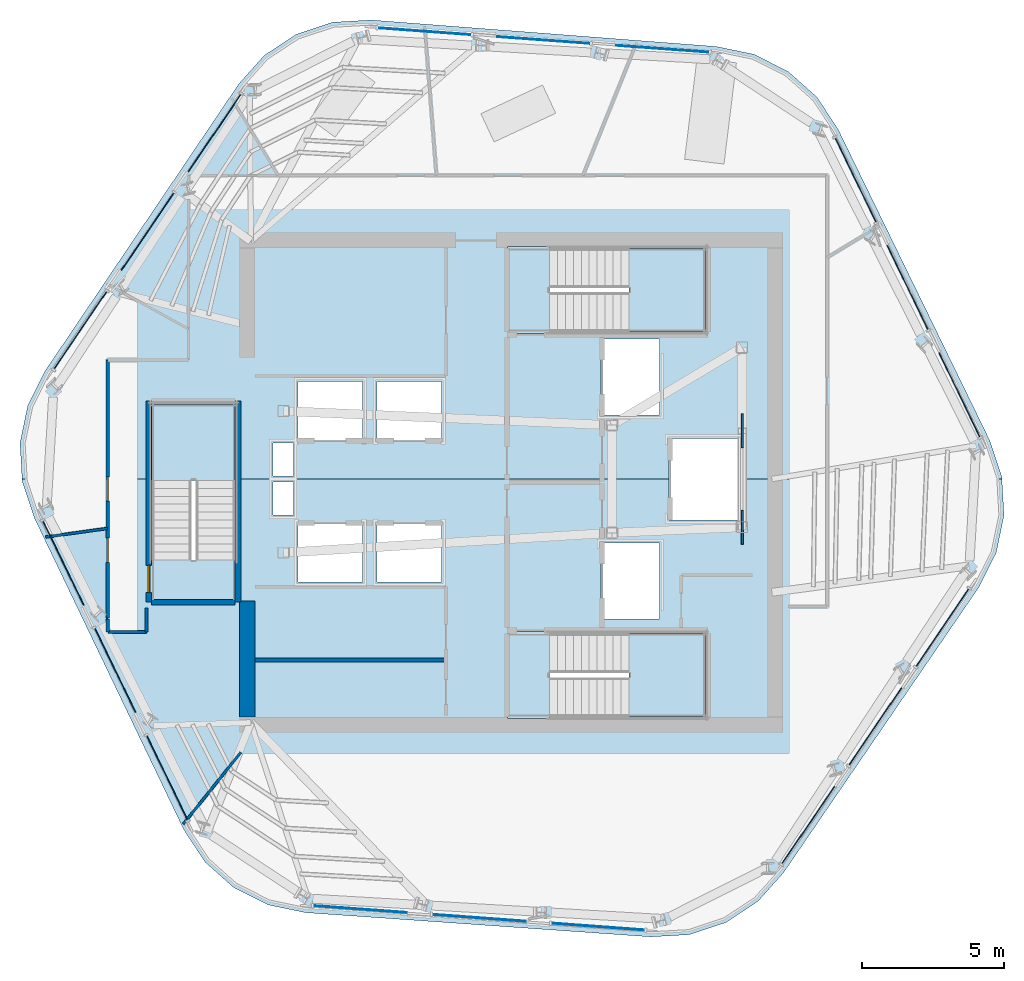
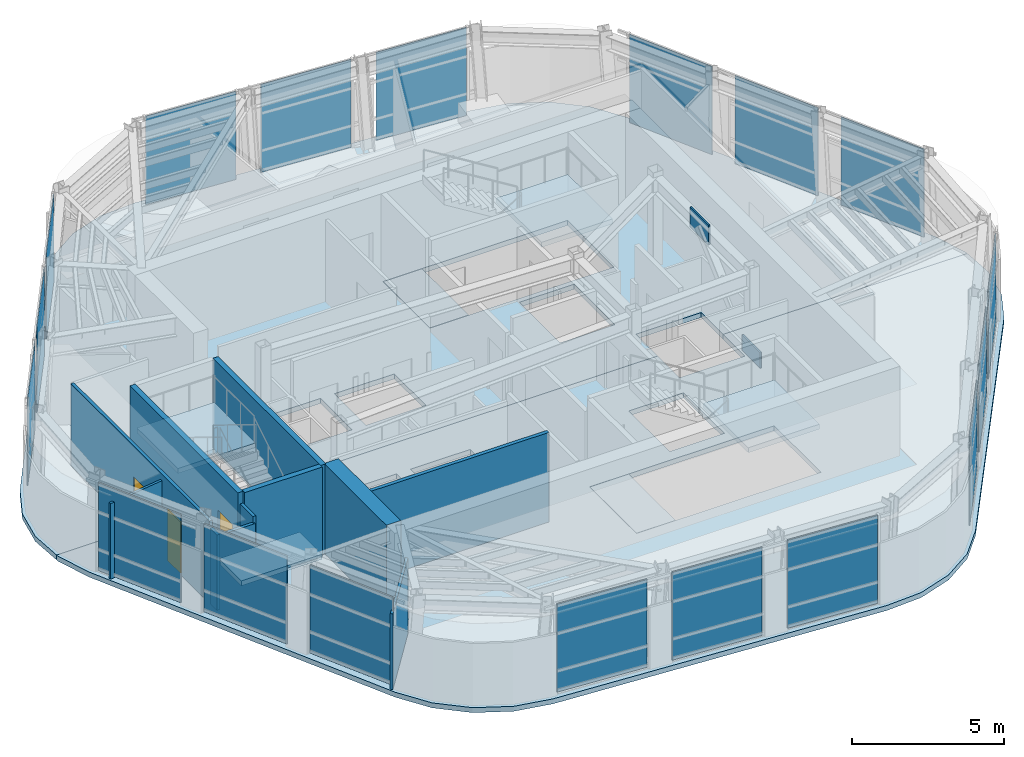
# One storey, part 5 of 11: 20 plates, 11 walls, 8 slabs, 3 doors, 3 openings, 9 elements without a shape of their own.
"""IFC4 building model written with IfcOpenShell, lengths in metres."""

from ifc_helpers import new_model, si_unit, direction, frame, frame_2d, origin, origin_2d, place, context, subcontext, project, spatial, polyline, rectangle, outline, extrude, material, layer, layer_set, type_object, element, fill, aggregate, save


model = new_model("IFC4")

# Units and contexts
model_context = context("Model", 3, precision=1e-05, world=origin(), true_north=direction((0.0, 1.0)))
body_context = subcontext(model_context, "Body", "Model", "MODEL_VIEW")
ifc_project = project(units=[si_unit("LENGTHUNIT", "METRE"), si_unit("AREAUNIT", "SQUARE_METRE"), si_unit("VOLUMEUNIT", "CUBIC_METRE"), si_unit("PLANEANGLEUNIT", "RADIAN"), si_unit("MASSUNIT", "GRAM", prefix="KILO")], contexts=[model_context])

# Site, building, storey
site_placement = place(None, origin())
site = spatial("IfcSite", under=ifc_project, at=site_placement, CompositionType="ELEMENT")
building_placement = place(site_placement, origin())
building = spatial("IfcBuilding", under=site, at=building_placement, Name="Valkerne Bourse Tower", CompositionType="ELEMENT")
storey_placement = place(building_placement, frame((0.0, 0.0, 266.0)))
storey = spatial("IfcBuildingStorey", under=building, at=storey_placement, Name="L67", CompositionType="ELEMENT", Elevation=266.0)

# Curtain wall, plates
ifc_material_1 = material(Name="Aluminium AA 6063-T6", Category="aluminium")
ifc_layer_1 = layer(ifc_material_1, 0.2451171875)
ifc_layer_set_1 = layer_set([ifc_layer_1], Name="Aluminium AA 6063-T6")
curtain_wall_type = type_object("IfcCurtainWallType", Name="CW-05", PredefinedType="NOTDEFINED", material=ifc_layer_set_1)
curtain_wall_1_placement = place(storey_placement, origin())
curtain_wall_1 = element("IfcCurtainWall", 1, at=curtain_wall_1_placement, inside=storey, type_object=curtain_wall_type, Name="L67 Hexagonal Stick Curtain Wall Face 1", PredefinedType="NOTDEFINED")
ifc_material_2 = material(Name="Glass IGU Low-E Double Glazed", Category="glass")
ifc_layer_2 = layer(ifc_material_2, 0.031982421875)
ifc_layer_set_2 = layer_set([ifc_layer_2], Name="Glass IGU Low-E Double Glazed")
plate_type_1 = type_object("IfcPlateType", Name="CW-PNL-IGU-32", PredefinedType="CURTAIN_PANEL", material=ifc_layer_set_2)
plate_1_placement = place(storey_placement, frame((52.138916015625, 42.1884765625, 0.030029296875), z_axis=(0.0, 0.0, 1.0), x_axis=(-0.997314132558, 0.073242890438, 0.0)))
plate_1 = element("IfcPlate", 2, at=plate_1_placement, type_object=plate_type_1, Name="CW-L67-F1 Curtain Panel 00", PredefinedType="CURTAIN_PANEL", context=body_context, shape_type="SweptSolid", body=[
    extrude(rectangle(XDim=3.2919921875, YDim=0.031982421875, at=origin_2d()), origin(), (0.0, 0.0, 1.0), 3.5400390625),
])
plate_2_placement = place(storey_placement, frame((47.93798828125, 42.4970703125, 0.030029296875), z_axis=(0.0, 0.0, 1.0), x_axis=(-0.997314132558, 0.073242890438, 0.0)))
plate_2 = element("IfcPlate", 3, at=plate_2_placement, type_object=plate_type_1, Name="CW-L67-F1 Curtain Panel 01", PredefinedType="CURTAIN_PANEL", context=body_context, shape_type="SweptSolid", body=[
    extrude(rectangle(XDim=3.2919921875, YDim=0.031982421875, at=origin_2d()), origin(), (0.0, 0.0, 1.0), 3.5400390625),
])
plate_3_placement = place(storey_placement, frame((43.7373046875, 42.805419921875, 0.030029296875), z_axis=(0.0, 0.0, 1.0), x_axis=(-0.997315866516, 0.073219276126, 0.0)))
plate_3 = element("IfcPlate", 4, at=plate_3_placement, type_object=plate_type_1, Name="CW-L67-F1 Curtain Panel 02", PredefinedType="CURTAIN_PANEL", context=body_context, shape_type="SweptSolid", body=[
    extrude(rectangle(XDim=3.2919921875, YDim=0.031982421875, at=origin_2d()), origin(), (0.0, 0.0, 1.0), 3.5400390625),
])
aggregate(curtain_wall_1, [plate_1, plate_2, plate_3])

curtain_wall_2_placement = place(storey_placement, origin())
curtain_wall_2 = element("IfcCurtainWall", 5, at=curtain_wall_2_placement, inside=storey, type_object=curtain_wall_type, Name="L67 Hexagonal Stick Curtain Wall Face 2", PredefinedType="NOTDEFINED")
plate_4_placement = place(storey_placement, frame((36.315673828125, 39.2177734375, 0.030029296875), z_axis=(0.0, 0.0, 1.0), x_axis=(-0.562080117496, -0.827082790001, 0.0)))
plate_4 = element("IfcPlate", 6, at=plate_4_placement, type_object=plate_type_1, Name="CW-L67-F2 Curtain Panel 00", PredefinedType="CURTAIN_PANEL", context=body_context, shape_type="SweptSolid", body=[
    extrude(rectangle(XDim=3.2919921875, YDim=0.031982421875, at=origin_2d()), origin(), (0.0, 0.0, 1.0), 3.5400390625),
])
plate_5_placement = place(storey_placement, frame((33.9482421875, 35.73388671875, 0.030029296875), z_axis=(0.0, 0.0, 1.0), x_axis=(-0.562080117496, -0.827082790001, 0.0)))
plate_5 = element("IfcPlate", 7, at=plate_5_placement, type_object=plate_type_1, Name="CW-L67-F2 Curtain Panel 01", PredefinedType="CURTAIN_PANEL", context=body_context, shape_type="SweptSolid", body=[
    extrude(rectangle(XDim=3.2919921875, YDim=0.031982421875, at=origin_2d()), origin(), (0.0, 0.0, 1.0), 3.5400390625),
])
plate_6_placement = place(storey_placement, frame((31.580810546875, 32.25048828125, 0.030029296875), z_axis=(0.0, 0.0, 1.0), x_axis=(-0.562091154776, -0.827075289029, 0.0)))
plate_6 = element("IfcPlate", 8, at=plate_6_placement, type_object=plate_type_1, Name="CW-L67-F2 Curtain Panel 02", PredefinedType="CURTAIN_PANEL", context=body_context, shape_type="SweptSolid", body=[
    extrude(rectangle(XDim=3.2919921875, YDim=0.031982421875, at=origin_2d()), origin(), (0.0, 0.0, 1.0), 3.5400390625),
])
aggregate(curtain_wall_2, [plate_4, plate_5, plate_6])

curtain_wall_3_placement = place(storey_placement, origin())
curtain_wall_3 = element("IfcCurtainWall", 9, at=curtain_wall_3_placement, inside=storey, type_object=curtain_wall_type, Name="L67 Hexagonal Stick Curtain Wall Face 3", PredefinedType="NOTDEFINED")
plate_7_placement = place(storey_placement, frame((30.97705078125, 24.029296875, 0.030029296875), z_axis=(0.0, 0.0, 1.0), x_axis=(0.435236340533, -0.900316237707, 0.0)))
plate_7 = element("IfcPlate", 10, at=plate_7_placement, type_object=plate_type_1, Name="CW-L67-F3 Curtain Panel 00", PredefinedType="CURTAIN_PANEL", context=body_context, shape_type="SweptSolid", body=[
    extrude(rectangle(XDim=3.2919921875, YDim=0.031982421875, at=origin_2d()), origin(), (0.0, 0.0, 1.0), 3.5400390625),
])
plate_8_placement = place(storey_placement, frame((32.810302734375, 20.237060546875, 0.030029296875), z_axis=(0.0, 0.0, 1.0), x_axis=(0.435236340533, -0.900316237707, 0.0)))
plate_8 = element("IfcPlate", 11, at=plate_8_placement, type_object=plate_type_1, Name="CW-L67-F3 Curtain Panel 01", PredefinedType="CURTAIN_PANEL", context=body_context, shape_type="SweptSolid", body=[
    extrude(rectangle(XDim=3.2919921875, YDim=0.031982421875, at=origin_2d()), origin(), (0.0, 0.0, 1.0), 3.5400390625),
])
plate_9_placement = place(storey_placement, frame((34.643310546875, 16.44482421875, 0.030029296875), z_axis=(0.0, 0.0, 1.0), x_axis=(0.435227037453, -0.900320735, 0.0)))
plate_9 = element("IfcPlate", 12, at=plate_9_placement, type_object=plate_type_1, Name="CW-L67-F3 Curtain Panel 02", PredefinedType="CURTAIN_PANEL", context=body_context, shape_type="SweptSolid", body=[
    extrude(rectangle(XDim=3.2919921875, YDim=0.031982421875, at=origin_2d()), origin(), (0.0, 0.0, 1.0), 3.5400390625),
])
aggregate(curtain_wall_3, [plate_7, plate_8, plate_9])

curtain_wall_4_placement = place(storey_placement, origin())
curtain_wall_4 = element("IfcCurtainWall", 13, at=curtain_wall_4_placement, inside=storey, type_object=curtain_wall_type, Name="L67 Hexagonal Stick Curtain Wall Face 4", PredefinedType="NOTDEFINED")
plate_10_placement = place(storey_placement, frame((41.461181640625, 11.8115234375, 0.030029296875), z_axis=(0.0, 0.0, 1.0), x_axis=(0.997314132558, -0.073242890438, 0.0)))
plate_10 = element("IfcPlate", 14, at=plate_10_placement, type_object=plate_type_1, Name="CW-L67-F4 Curtain Panel 00", PredefinedType="CURTAIN_PANEL", context=body_context, shape_type="SweptSolid", body=[
    extrude(rectangle(XDim=3.2919921875, YDim=0.031982421875, at=origin_2d()), origin(), (0.0, 0.0, 1.0), 3.5400390625),
])
plate_11_placement = place(storey_placement, frame((45.662109375, 11.5029296875, 0.030029296875), z_axis=(0.0, 0.0, 1.0), x_axis=(0.997314132558, -0.073242890438, 0.0)))
plate_11 = element("IfcPlate", 15, at=plate_11_placement, type_object=plate_type_1, Name="CW-L67-F4 Curtain Panel 01", PredefinedType="CURTAIN_PANEL", context=body_context, shape_type="SweptSolid", body=[
    extrude(rectangle(XDim=3.2919921875, YDim=0.031982421875, at=origin_2d()), origin(), (0.0, 0.0, 1.0), 3.5400390625),
])
plate_12_placement = place(storey_placement, frame((49.86279296875, 11.194580078125, 0.030029296875), z_axis=(0.0, 0.0, 1.0), x_axis=(0.997315866516, -0.073219276126, 0.0)))
plate_12 = element("IfcPlate", 16, at=plate_12_placement, type_object=plate_type_1, Name="CW-L67-F4 Curtain Panel 02", PredefinedType="CURTAIN_PANEL", context=body_context, shape_type="SweptSolid", body=[
    extrude(rectangle(XDim=3.2919921875, YDim=0.031982421875, at=origin_2d()), origin(), (0.0, 0.0, 1.0), 3.5400390625),
])
aggregate(curtain_wall_4, [plate_10, plate_11, plate_12])

curtain_wall_5_placement = place(storey_placement, origin())
curtain_wall_5 = element("IfcCurtainWall", 17, at=curtain_wall_5_placement, inside=storey, type_object=curtain_wall_type, Name="L67 Hexagonal Stick Curtain Wall Face 5", PredefinedType="NOTDEFINED")
plate_13_placement = place(storey_placement, frame((57.2841796875, 14.7822265625, 0.030029296875), z_axis=(0.0, 0.0, 1.0), x_axis=(0.562080117496, 0.827082790001, 0.0)))
plate_13 = element("IfcPlate", 18, at=plate_13_placement, type_object=plate_type_1, Name="CW-L67-F5 Curtain Panel 00", PredefinedType="CURTAIN_PANEL", context=body_context, shape_type="SweptSolid", body=[
    extrude(rectangle(XDim=3.2919921875, YDim=0.031982421875, at=origin_2d()), origin(), (0.0, 0.0, 1.0), 3.5400390625),
])
plate_14_placement = place(storey_placement, frame((59.651611328125, 18.26611328125, 0.030029296875), z_axis=(0.0, 0.0, 1.0), x_axis=(0.562080117496, 0.827082790001, 0.0)))
plate_14 = element("IfcPlate", 19, at=plate_14_placement, type_object=plate_type_1, Name="CW-L67-F5 Curtain Panel 01", PredefinedType="CURTAIN_PANEL", context=body_context, shape_type="SweptSolid", body=[
    extrude(rectangle(XDim=3.2919921875, YDim=0.031982421875, at=origin_2d()), origin(), (0.0, 0.0, 1.0), 3.5400390625),
])
plate_15_placement = place(storey_placement, frame((62.019287109375, 21.74951171875, 0.030029296875), z_axis=(0.0, 0.0, 1.0), x_axis=(0.562091154776, 0.827075289029, 0.0)))
plate_15 = element("IfcPlate", 20, at=plate_15_placement, type_object=plate_type_1, Name="CW-L67-F5 Curtain Panel 02", PredefinedType="CURTAIN_PANEL", context=body_context, shape_type="SweptSolid", body=[
    extrude(rectangle(XDim=3.2919921875, YDim=0.031982421875, at=origin_2d()), origin(), (0.0, 0.0, 1.0), 3.5400390625),
])
aggregate(curtain_wall_5, [plate_13, plate_14, plate_15])

curtain_wall_6_placement = place(storey_placement, origin())
curtain_wall_6 = element("IfcCurtainWall", 21, at=curtain_wall_6_placement, inside=storey, type_object=curtain_wall_type, Name="L67 Hexagonal Stick Curtain Wall Face 6", PredefinedType="NOTDEFINED")
plate_16_placement = place(storey_placement, frame((62.623046875, 29.970703125, 0.030029296875), z_axis=(0.0, 0.0, 1.0), x_axis=(-0.435236340533, 0.900316237707, 0.0)))
plate_16 = element("IfcPlate", 22, at=plate_16_placement, type_object=plate_type_1, Name="CW-L67-F6 Curtain Panel 00", PredefinedType="CURTAIN_PANEL", context=body_context, shape_type="SweptSolid", body=[
    extrude(rectangle(XDim=3.2919921875, YDim=0.031982421875, at=origin_2d()), origin(), (0.0, 0.0, 1.0), 3.5400390625),
])
plate_17_placement = place(storey_placement, frame((60.789794921875, 33.762939453125, 0.030029296875), z_axis=(0.0, 0.0, 1.0), x_axis=(-0.435236340533, 0.900316237707, 0.0)))
plate_17 = element("IfcPlate", 23, at=plate_17_placement, type_object=plate_type_1, Name="CW-L67-F6 Curtain Panel 01", PredefinedType="CURTAIN_PANEL", context=body_context, shape_type="SweptSolid", body=[
    extrude(rectangle(XDim=3.2919921875, YDim=0.031982421875, at=origin_2d()), origin(), (0.0, 0.0, 1.0), 3.5400390625),
])
plate_18_placement = place(storey_placement, frame((58.95654296875, 37.55517578125, 0.030029296875), z_axis=(0.0, 0.0, 1.0), x_axis=(-0.435227037453, 0.900320735, 0.0)))
plate_18 = element("IfcPlate", 24, at=plate_18_placement, type_object=plate_type_1, Name="CW-L67-F6 Curtain Panel 02", PredefinedType="CURTAIN_PANEL", context=body_context, shape_type="SweptSolid", body=[
    extrude(rectangle(XDim=3.2919921875, YDim=0.031982421875, at=origin_2d()), origin(), (0.0, 0.0, 1.0), 3.5400390625),
])
aggregate(curtain_wall_6, [plate_16, plate_17, plate_18])

# Plates
ifc_material_3 = material(Name="Steel ASTM A572 Grade 50", Category="steel")
ifc_layer_3 = layer(ifc_material_3, 0.06005859375)
ifc_layer_set_3 = layer_set([ifc_layer_3], Name="Steel ASTM A572 Grade 50")
plate_type_2 = type_object("IfcPlateType", Name="PLT-GUS-60", PredefinedType="SHEET", material=ifc_layer_set_3)
for number, where, z_axis, x_axis, name in (
    (25, (54.949951171875, 25.300048828125, -0.18017578125), (0.0, 0.0, 1.0), (0.0, 1.0, 0.0), "L67 Brace Node Gusset Plate PLT-GUS-END-L67-450"),
    (26, (54.949951171875, 28.699951171875, 2.89404296875), (0.0, 0.0, 1.0), (0.0, 1.0, 0.0), "L67 Brace Node Gusset Plate PLT-GUS-END-L67-451"),
):
    element("IfcPlate", number, at=place(storey_placement, frame(where, z_axis=z_axis, x_axis=x_axis)), inside=storey, type_object=plate_type_2, Name=name, PredefinedType="SHEET", context=body_context, shape_type="SweptSolid", body=[
        extrude(rectangle(XDim=1.199951171875, YDim=0.06005859375, at=origin_2d()), origin(), (0.0, 0.0, 1.0), 0.800048828125),
    ])

# Slabs
ifc_material_4 = material(Name="Concrete C40/50", Category="concrete")
ifc_layer_4 = layer(ifc_material_4, 0.25)
ifc_layer_set_4 = layer_set([ifc_layer_4], Name="Concrete C40/50")
slab_type_1 = type_object("IfcSlabType", Name="SLB-RMP-LND-250", PredefinedType="LANDING", material=ifc_layer_set_4)
slab_1_placement = place(storey_placement, frame((0.0, 0.0, -0.199951171875)))
element("IfcSlab", 27, at=slab_1_placement, inside=storey, type_object=slab_type_1, Name="L67 ST-1 Floor Landing Slab", PredefinedType="LANDING", context=body_context, shape_type="SweptSolid", body=[
    extrude(outline(polyline([(46.669921875, 18.5400390625), (48.14990234375, 18.5400390625), (48.14990234375, 21.610107421875), (46.669921875, 21.610107421875), (46.669921875, 18.5400390625)])), origin(), (0.0, 0.0, 1.0), 0.199951171875),
])
slab_2_placement = place(storey_placement, frame((0.0, 0.0, -0.199951171875)))
element("IfcSlab", 28, at=slab_2_placement, inside=storey, type_object=slab_type_1, Name="L67 ST-2 Floor Landing Slab", PredefinedType="LANDING", context=body_context, shape_type="SweptSolid", body=[
    extrude(outline(polyline([(46.669921875, 32.139892578125), (48.14990234375, 32.139892578125), (48.14990234375, 35.2099609375), (46.669921875, 35.2099609375), (46.669921875, 32.139892578125)])), origin(), (0.0, 0.0, 1.0), 0.199951171875),
])
slab_3_placement = place(storey_placement, frame((0.0, 0.0, -0.199951171875)))
element("IfcSlab", 29, at=slab_3_placement, inside=storey, type_object=slab_type_1, Name="L67 ST-3 Floor Landing Slab", PredefinedType="LANDING", context=body_context, shape_type="SweptSolid", body=[
    extrude(outline(polyline([(37.110107421875, 22.669921875), (37.110107421875, 24.14990234375), (34.0400390625, 24.14990234375), (34.0400390625, 22.669921875), (37.110107421875, 22.669921875)])), origin(), (0.0, 0.0, 1.0), 0.199951171875),
])

# Stair, slab
stair_type = type_object("IfcStairType", Name="ST-CORE-1400", PredefinedType="HALF_TURN_STAIR", material=ifc_material_4)
stair_1_placement = place(storey_placement, origin())
stair_1 = element("IfcStair", 30, at=stair_1_placement, inside=storey, type_object=stair_type, Name="L67 ST-1", PredefinedType="HALF_TURN_STAIR")
ifc_layer_5 = layer(ifc_material_4, 0.179931640625)
ifc_layer_set_5 = layer_set([ifc_layer_5], Name="Concrete C40/50")
slab_type_2 = type_object("IfcSlabType", Name="SLB-ST-LND-180", PredefinedType="LANDING", material=ifc_layer_set_5)
slab_4_placement = place(storey_placement, frame((0.0, 0.0, 1.699951171875)))
slab_4 = element("IfcSlab", 31, at=slab_4_placement, type_object=slab_type_2, Name="ST-1 landing 1", PredefinedType="LANDING", context=body_context, shape_type="SweptSolid", body=[
    extrude(outline(polyline([(50.949951171875, 18.60009765625), (53.64990234375, 18.60009765625), (53.64990234375, 21.550048828125), (50.949951171875, 21.550048828125), (50.949951171875, 18.60009765625)])), origin(), (0.0, 0.0, 1.0), 0.199951171875),
])
aggregate(stair_1, [slab_4])

stair_2_placement = place(storey_placement, origin())
stair_2 = element("IfcStair", 32, at=stair_2_placement, inside=storey, type_object=stair_type, Name="L67 ST-2", PredefinedType="HALF_TURN_STAIR")
slab_5_placement = place(storey_placement, frame((0.0, 0.0, 1.699951171875)))
slab_5 = element("IfcSlab", 33, at=slab_5_placement, type_object=slab_type_2, Name="ST-2 landing 1", PredefinedType="LANDING", context=body_context, shape_type="SweptSolid", body=[
    extrude(outline(polyline([(50.949951171875, 32.199951171875), (53.64990234375, 32.199951171875), (53.64990234375, 35.14990234375), (50.949951171875, 35.14990234375), (50.949951171875, 32.199951171875)])), origin(), (0.0, 0.0, 1.0), 0.199951171875),
])
aggregate(stair_2, [slab_5])

stair_3_placement = place(storey_placement, origin())
stair_3 = element("IfcStair", 34, at=stair_3_placement, inside=storey, type_object=stair_type, Name="L67 ST-3", PredefinedType="HALF_TURN_STAIR")
slab_6_placement = place(storey_placement, frame((0.0, 0.0, 1.699951171875)))
slab_6 = element("IfcSlab", 35, at=slab_6_placement, type_object=slab_type_2, Name="ST-3 landing 1", PredefinedType="LANDING", context=body_context, shape_type="SweptSolid", body=[
    extrude(outline(polyline([(37.050048828125, 26.949951171875), (37.050048828125, 29.64990234375), (34.10009765625, 29.64990234375), (34.10009765625, 26.949951171875), (37.050048828125, 26.949951171875)])), origin(), (0.0, 0.0, 1.0), 0.199951171875),
])
aggregate(stair_3, [slab_6])

# Slabs
ifc_layer_6 = layer(ifc_material_4, 0.199951171875)
ifc_layer_set_6 = layer_set([ifc_layer_6], Name="Concrete C40/50")
slab_type_3 = type_object("IfcSlabType", Name="SLB-TOW-200", PredefinedType="FLOOR", material=ifc_layer_set_6)
slab_7_placement = place(storey_placement, frame((0.0, 0.0, -0.199951171875)))
element("IfcSlab", 36, at=slab_7_placement, inside=storey, type_object=slab_type_3, Name="L67 Hexagonal Composite Floor Slab S", PredefinedType="FLOOR", context=body_context, shape_type="SweptSolid", body=[
    extrude(outline(polyline([(64.1953125, 25.72265625), (63.920166015625, 24.393310546875), (63.310302734375, 23.1806640625), (56.40869140625, 13.097412109375), (55.505615234375, 12.083740234375), (54.37109375, 11.33837890625), (53.082275390625, 10.912109375), (51.72705078125, 10.833984375), (39.5380859375, 11.688720703125), (38.208740234375, 11.9638671875), (36.99609375, 12.57373046875), (35.982421875, 13.476806640625), (35.2373046875, 14.611572265625), (29.95556640625, 25.6298828125), (29.529296875, 26.918701171875), (29.524658203125, 27.0), (34.034912109375, 27.0), (34.034912109375, 22.6650390625), (37.114990234375, 22.6650390625), (37.114990234375, 27.0), (52.360107421875, 27.0), (52.360107421875, 25.56005859375), (54.840087890625, 25.56005859375), (54.840087890625, 27.0), (64.121826171875, 27.0), (64.1953125, 25.72265625)]), holes=[polyline([(39.260009765625, 25.43994140625), (39.260009765625, 23.360107421875), (41.5400390625, 23.360107421875), (41.5400390625, 25.43994140625), (39.260009765625, 25.43994140625)]), polyline([(44.340087890625, 25.43994140625), (42.06005859375, 25.43994140625), (42.06005859375, 23.360107421875), (44.340087890625, 23.360107421875), (44.340087890625, 25.43994140625)]), polyline([(38.3798828125, 26.89990234375), (38.3798828125, 25.72998046875), (39.10009765625, 25.72998046875), (39.10009765625, 26.89990234375), (38.3798828125, 26.89990234375)]), polyline([(46.6650390625, 21.614990234375), (46.6650390625, 18.534912109375), (53.675048828125, 18.534912109375), (53.675048828125, 21.614990234375), (46.6650390625, 21.614990234375)]), polyline([(52.0400390625, 24.739990234375), (49.9599609375, 24.739990234375), (49.9599609375, 22.06005859375), (52.0400390625, 22.06005859375), (52.0400390625, 24.739990234375)])]), origin(), (0.0, 0.0, 1.0), 0.199951171875),
])
slab_8_placement = place(storey_placement, frame((0.0, 0.0, -0.199951171875)))
element("IfcSlab", 37, at=slab_8_placement, inside=storey, type_object=slab_type_3, Name="L67 Hexagonal Composite Floor Slab N", PredefinedType="FLOOR", context=body_context, shape_type="SweptSolid", body=[
    extrude(outline(polyline([(64.1171875, 27.077880859375), (64.121826171875, 27.0), (54.840087890625, 27.0), (54.840087890625, 28.43994140625), (52.360107421875, 28.43994140625), (52.360107421875, 27.0), (37.114990234375, 27.0), (37.114990234375, 29.675048828125), (34.034912109375, 29.675048828125), (34.034912109375, 27.0), (29.524658203125, 27.0), (29.451171875, 28.27392578125), (29.726318359375, 29.603271484375), (30.33642578125, 30.81591796875), (37.1708984375, 40.94482421875), (38.073974609375, 41.958251953125), (39.20849609375, 42.70361328125), (40.497314453125, 43.1298828125), (41.8525390625, 43.2080078125), (54.035888671875, 42.272705078125), (55.364990234375, 41.99755859375), (56.577880859375, 41.387451171875), (57.59130859375, 40.484619140625), (58.336669921875, 39.349853515625), (63.69091796875, 28.36669921875), (64.1171875, 27.077880859375)]), holes=[polyline([(39.10009765625, 28.27001953125), (38.3798828125, 28.27001953125), (38.3798828125, 27.10009765625), (39.10009765625, 27.10009765625), (39.10009765625, 28.27001953125)]), polyline([(41.5400390625, 30.43994140625), (39.260009765625, 30.43994140625), (39.260009765625, 28.360107421875), (41.5400390625, 28.360107421875), (41.5400390625, 30.43994140625)]), polyline([(42.06005859375, 30.43994140625), (42.06005859375, 28.360107421875), (44.340087890625, 28.360107421875), (44.340087890625, 30.43994140625), (42.06005859375, 30.43994140625)]), polyline([(52.0400390625, 31.93994140625), (49.9599609375, 31.93994140625), (49.9599609375, 29.260009765625), (52.0400390625, 29.260009765625), (52.0400390625, 31.93994140625)]), polyline([(53.675048828125, 35.215087890625), (46.6650390625, 35.215087890625), (46.6650390625, 32.135009765625), (53.675048828125, 32.135009765625), (53.675048828125, 35.215087890625)])]), origin(), (0.0, 0.0, 1.0), 0.199951171875),
])

# Walls
ifc_material_5 = material(Name="Concrete C55/67", Category="concrete")
ifc_layer_7 = layer(ifc_material_5, 0.550048828125)
ifc_layer_set_7 = layer_set([ifc_layer_7], Name="Concrete C55/67")
wall_type_1 = type_object("IfcWallType", Name="W-CORE-550", PredefinedType="SHEAR", material=ifc_layer_set_7)
wall_1_placement = place(storey_placement, frame((37.47509765625, 18.60009765625, 0.0), z_axis=(0.0, 0.0, 1.0), x_axis=(0.0, 1.0, 0.0)))
element("IfcWall", 38, at=wall_1_placement, inside=storey, type_object=wall_type_1, Name="L67 Core Shear Wall WEST-S", PredefinedType="SHEAR", context=body_context, shape_type="SweptSolid", body=[
    extrude(rectangle(XDim=4.099853515625, YDim=0.550048828125, at=frame_2d((2.0498046875, 0.0))), origin(), (0.0, 0.0, 1.0), 3.60009765625),
])
ifc_material_6 = material(Name="Gypsum Board Steel-Stud Partition", Category="steel")
ifc_layer_8 = layer(ifc_material_6, 0.117919921875)
ifc_layer_set_8 = layer_set([ifc_layer_8], Name="Gypsum Board Steel-Stud Partition")
wall_type_2 = type_object("IfcWallType", Name="W-CORR-140", PredefinedType="PARTITIONING", material=ifc_layer_set_8)
wall_2_placement = place(storey_placement, frame((33.91796875, 22.43994140625, 0.0), z_axis=(0.0, 0.0, 1.0), x_axis=(0.002325575107, -0.999997295847, 0.0)))
element("IfcWall", 39, at=wall_2_placement, inside=storey, type_object=wall_type_2, Name="L67 Corridor Enclosure Wall", PredefinedType="PARTITIONING", context=body_context, shape_type="SweptSolid", body=[
    extrude(rectangle(XDim=0.83984375, YDim=0.117919921875, at=frame_2d((0.419921875, 0.0))), origin(), (0.0, 0.0, 1.0), 3.300048828125),
])
wall_3_placement = place(storey_placement, frame((33.919921875, 21.60009765625, 0.0), z_axis=(0.0, 0.0, 1.0), x_axis=(-1.0, 0.0, 0.0)))
element("IfcWall", 40, at=wall_3_placement, inside=storey, type_object=wall_type_2, Name="L67 Corridor Enclosure Wall", PredefinedType="PARTITIONING", context=body_context, shape_type="SweptSolid", body=[
    extrude(rectangle(XDim=1.369873046875, YDim=0.117919921875, at=frame_2d((0.68505859375, 0.0))), origin(), (0.0, 0.0, 1.0), 3.0361328125),
])
wall_4_placement = place(storey_placement, frame((32.550048828125, 21.60009765625, 0.0), z_axis=(0.0, 0.0, 1.0), x_axis=(0.0, 1.0, 0.0)))
element("IfcWall", 41, at=wall_4_placement, inside=storey, type_object=wall_type_2, Name="L67 Corridor Enclosure Wall", PredefinedType="PARTITIONING", context=body_context, shape_type="SweptSolid", body=[
    extrude(rectangle(XDim=0.4521484375, YDim=0.117919921875, at=frame_2d((0.22607421875, 0.0))), origin(), (0.0, 0.0, 1.0), 3.0361328125),
])

# Wall, openings, doors
wall_5_placement = place(storey_placement, frame((32.550048828125, 22.093505859375, 0.0), z_axis=(0.0, 0.0, 1.0), x_axis=(0.0, 1.0, 0.0)))
wall_5 = element("IfcWall", 42, at=wall_5_placement, inside=storey, type_object=wall_type_2, Name="L67 Corridor Enclosure Wall", PredefinedType="PARTITIONING", context=body_context, shape_type="SweptSolid", body=[
    extrude(rectangle(XDim=9.1064453125, YDim=0.117919921875, at=frame_2d((4.55322265625, 0.0))), origin(), (0.0, 0.0, 1.0), 3.300048828125),
])
opening_1_placement = place(wall_5_placement, frame((4.123291015625, 0.0, 0.0)))
opening_1 = element("IfcOpeningElement", 43, at=opening_1_placement, cuts=wall_5, Name="Opening D-WC-900", PredefinedType="OPENING", context=body_context, shape_type="SweptSolid", body=[
    extrude(rectangle(XDim=0.860107421875, YDim=2.050048828125, at=frame_2d((0.43017578125, 1.02490234375))), frame((0.0, 0.06884765625, 0.0), z_axis=(0.0, -1.0, 0.0), x_axis=(1.0, 0.0, 0.0)), (0.0, 0.0, 1.0), 0.137939453125),
])
opening_2_placement = place(wall_5_placement, frame((1.96337890625, 0.0, 0.0)))
opening_2 = element("IfcOpeningElement", 44, at=opening_2_placement, cuts=wall_5, Name="Opening D-WC-900", PredefinedType="OPENING", context=body_context, shape_type="SweptSolid", body=[
    extrude(rectangle(XDim=0.860107421875, YDim=2.050048828125, at=frame_2d((0.43017578125, 1.02490234375))), frame((0.0, 0.06884765625, 0.0), z_axis=(0.0, -1.0, 0.0), x_axis=(1.0, 0.0, 0.0)), (0.0, 0.0, 1.0), 0.137939453125),
])
ifc_material_7 = material(Name="Architectural White Oak Timber", Category="wood")
door_type_1 = type_object("IfcDoorType", Name="DR-WC-900", OperationType="NOTDEFINED", PredefinedType="DOOR", material=ifc_material_7)
door_1_placement = place(opening_1_placement, origin())
door_1 = element("IfcDoor", 45, at=door_1_placement, inside=storey, type_object=door_type_1, Name="L67 L67 Men Bathroom WC 1 Door", OperationType="SINGLE_SWING_RIGHT", OverallHeight=2.050048828125, OverallWidth=0.860107421875, PredefinedType="DOOR", context=body_context, shape_type="SweptSolid", body=[
    extrude(rectangle(XDim=0.860107421875, YDim=2.050048828125, at=frame_2d((0.43017578125, 1.02490234375))), frame((0.0, 0.02490234375, 0.0), z_axis=(0.0, -1.0, 0.0), x_axis=(1.0, 0.0, 0.0)), (0.0, 0.0, 1.0), 0.050048828125),
])
fill(opening_1, door_1)
door_2_placement = place(opening_2_placement, origin())
door_2 = element("IfcDoor", 46, at=door_2_placement, inside=storey, type_object=door_type_1, Name="L67 L67 Women Restroom & Shower WC 2 Door", OperationType="SINGLE_SWING_RIGHT", OverallHeight=2.050048828125, OverallWidth=0.860107421875, PredefinedType="DOOR", context=body_context, shape_type="SweptSolid", body=[
    extrude(rectangle(XDim=0.860107421875, YDim=2.050048828125, at=frame_2d((0.43017578125, 1.02490234375))), frame((0.0, 0.02490234375, 0.0), z_axis=(0.0, -1.0, 0.0), x_axis=(1.0, 0.0, 0.0)), (0.0, 0.0, 1.0), 0.050048828125),
])
fill(opening_2, door_2)

# Walls
ifc_layer_9 = layer(ifc_material_6, 0.092041015625)
ifc_layer_set_9 = layer_set([ifc_layer_9], Name="Gypsum Board Steel-Stud Partition")
wall_type_3 = type_object("IfcWallType", Name="W-PART-115", PredefinedType="PARTITIONING", material=ifc_layer_set_9)
wall_6_placement = place(storey_placement, frame((32.544921875, 25.256591796875, 0.0), z_axis=(0.0, 0.0, 1.0), x_axis=(-0.990350249491, -0.138587096562, 0.0)))
element("IfcWall", 47, at=wall_6_placement, inside=storey, type_object=wall_type_3, Name="L67 Suite Partition P05", PredefinedType="PARTITIONING", context=body_context, shape_type="SweptSolid", body=[
    extrude(rectangle(XDim=2.207275390625, YDim=0.092041015625, at=frame_2d((1.103515625, 0.0))), origin(), (0.0, 0.0, 1.0), 3.0361328125),
])
wall_7_placement = place(storey_placement, frame((37.25048828125, 17.35009765625, 0.0), z_axis=(0.0, 0.0, 1.0), x_axis=(-0.626123623764, -0.77972380223, 0.0)))
element("IfcWall", 48, at=wall_7_placement, inside=storey, type_object=wall_type_3, Name="L67 Suite Partition P06", PredefinedType="PARTITIONING", context=body_context, shape_type="SweptSolid", body=[
    extrude(rectangle(XDim=3.248779296875, YDim=0.092041015625, at=frame_2d((1.62451171875, 0.0))), origin(), (0.0, 0.0, 1.0), 3.0361328125),
])

# Wall, opening, door
ifc_layer_10 = layer(ifc_material_4, 0.199951171875)
ifc_layer_set_10 = layer_set([ifc_layer_10], Name="Concrete C40/50")
wall_type_4 = type_object("IfcWallType", Name="W-SHF-200", PredefinedType="SHEAR", material=ifc_layer_set_10)
wall_8_placement = place(storey_placement, frame((34.0, 22.64990234375, 0.0), z_axis=(0.0, 0.0, 1.0), x_axis=(0.0, 1.0, 0.0)))
wall_8 = element("IfcWall", 49, at=wall_8_placement, inside=storey, type_object=wall_type_4, Name="L67 Exit Stair ST-3 Structural Shaft Wall West", PredefinedType="SHEAR", context=body_context, shape_type="SweptSolid", body=[
    extrude(rectangle(XDim=7.10009765625, YDim=0.199951171875, at=frame_2d((3.550048828125, 0.0))), origin(), (0.0, 0.0, 1.0), 3.60009765625),
])
opening_3_placement = place(wall_8_placement, frame((0.35009765625, 0.0, 0.0)))
opening_3 = element("IfcOpeningElement", 50, at=opening_3_placement, cuts=wall_8, Name="Opening D-ST-950", PredefinedType="OPENING", context=body_context, shape_type="SweptSolid", body=[
    extrude(rectangle(XDim=0.949951171875, YDim=2.10009765625, at=frame_2d((0.47509765625, 1.050048828125))), frame((0.0, 0.10986328125, 0.0), z_axis=(0.0, -1.0, 0.0), x_axis=(1.0, 0.0, 0.0)), (0.0, 0.0, 1.0), 0.219970703125),
])
ifc_material_8 = material(Name="Galvanised Painted Steel", Category="steel")
door_type_2 = type_object("IfcDoorType", Name="DR-STAIR-950", OperationType="NOTDEFINED", PredefinedType="DOOR", material=ifc_material_8)
door_3_placement = place(opening_3_placement, origin())
door_3 = element("IfcDoor", 51, at=door_3_placement, inside=storey, type_object=door_type_2, Name="L67 Exit Stair ST-3 Door", OperationType="SINGLE_SWING_LEFT", OverallHeight=2.10009765625, OverallWidth=0.949951171875, PredefinedType="DOOR", context=body_context, shape_type="SweptSolid", body=[
    extrude(rectangle(XDim=0.949951171875, YDim=2.10009765625, at=frame_2d((0.47509765625, 1.050048828125))), frame((0.0, 0.02490234375, 0.0), z_axis=(0.0, -1.0, 0.0), x_axis=(1.0, 0.0, 0.0)), (0.0, 0.0, 1.0), 0.050048828125),
])
fill(opening_3, door_3)

# Walls
wall_9_placement = place(storey_placement, frame((34.10009765625, 22.64990234375, 0.0), z_axis=(0.0, 0.0, 1.0), x_axis=(1.0, 0.0, 0.0)))
element("IfcWall", 52, at=wall_9_placement, inside=storey, type_object=wall_type_4, Name="L67 Exit Stair ST-3 Structural Shaft Wall South", PredefinedType="SHEAR", context=body_context, shape_type="SweptSolid", body=[
    extrude(rectangle(XDim=2.949951171875, YDim=0.199951171875, at=frame_2d((1.47509765625, 0.0))), origin(), (0.0, 0.0, 1.0), 3.60009765625),
])
wall_10_placement = place(storey_placement, frame((37.14990234375, 22.64990234375, 0.0), z_axis=(0.0, 0.0, 1.0), x_axis=(0.0, 1.0, 0.0)))
element("IfcWall", 53, at=wall_10_placement, inside=storey, type_object=wall_type_4, Name="L67 Exit Stair ST-3 Structural Shaft Wall East", PredefinedType="SHEAR", context=body_context, shape_type="SweptSolid", body=[
    extrude(rectangle(XDim=7.10009765625, YDim=0.199951171875, at=frame_2d((3.550048828125, 0.0))), origin(), (0.0, 0.0, 1.0), 3.60009765625),
])
ifc_material_9 = material(Name="Moisture-Resistant Gypsum Partition", Category="gypsum")
ifc_layer_11 = layer(ifc_material_9, 0.139892578125)
ifc_layer_set_11 = layer_set([ifc_layer_11], Name="Moisture-Resistant Gypsum Partition")
wall_type_5 = type_object("IfcWallType", Name="W-WET-140", PredefinedType="PARTITIONING", material=ifc_layer_set_11)
wall_11_placement = place(storey_placement, frame((37.75, 20.610107421875, 0.0), z_axis=(0.0, 0.0, 1.0), x_axis=(1.0, 0.0, 0.0)))
element("IfcWall", 54, at=wall_11_placement, inside=storey, type_object=wall_type_5, Name="L67 LV7 Low-Bank Sub-Divider", PredefinedType="PARTITIONING", context=body_context, shape_type="SweptSolid", body=[
    extrude(rectangle(XDim=6.75, YDim=0.139892578125, at=frame_2d((3.375, 0.0))), origin(), (0.0, 0.0, 1.0), 3.60009765625),
])

save(model, "model.ifc")
